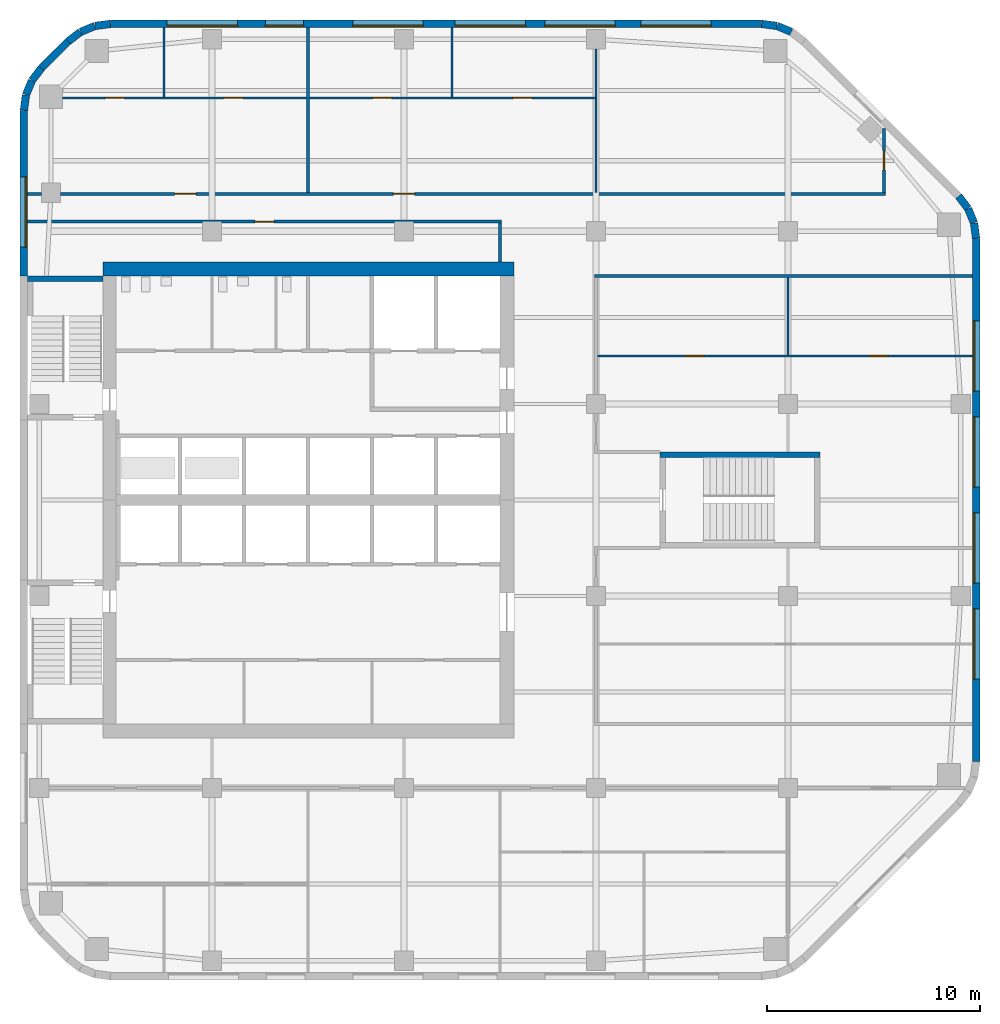
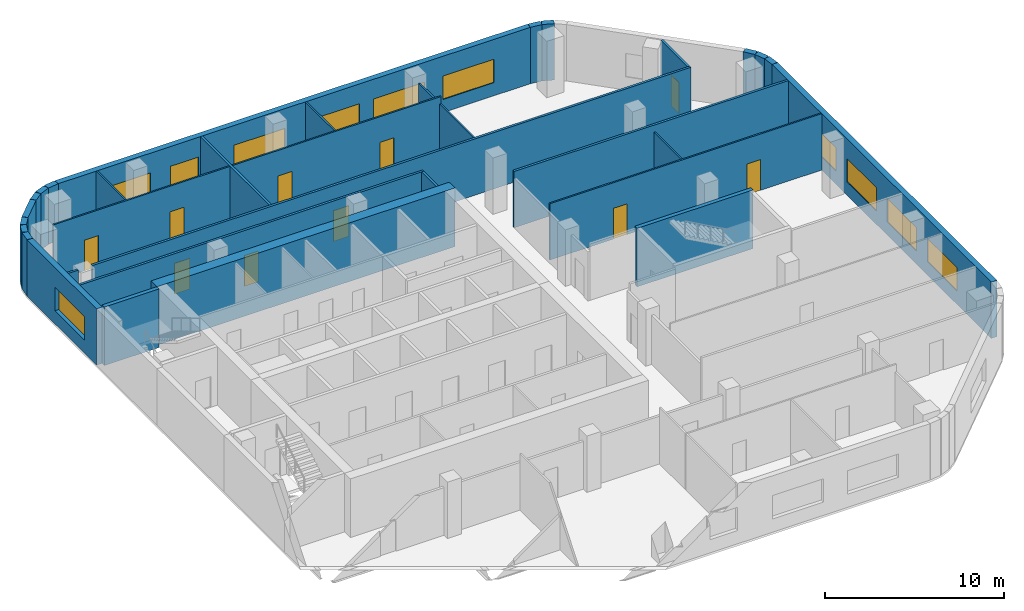
# One storey, part 5 of 9: 33 walls, 11 windows, 10 doors, 21 openings.
"""IFC4 building model written with IfcOpenShell, lengths in metres."""

import ifcopenshell
import ifcopenshell.guid

model = None  # the IFC model being written
_history = None  # IfcOwnerHistory: only IFC2X3 demands one
_inside = {}  # id of a spatial element -> (the spatial element, [elements in it])
_under = {}  # id of a project, library or spatial element -> (it, [spatial elements below it])
_declared = {}  # id of a project -> (the project, [libraries it declares])
_typed = {}  # id of a type object -> (the type object, [elements of that type])
_made_of = {}  # id of a material, layer set ... -> (it, [elements and type objects made of it])


def new_model(schema):
    """Start an empty IFC model of exactly this schema.

    Asked for "IFC4X3", IfcOpenShell would pick the latest addendum, in which some entities
    have other attributes; the version numbers below select the first issue.
    IFC2X3 requires an IfcOwnerHistory on every rooted entity: one is made here for all.
    """
    global model, _history
    if schema == "IFC4X3":
        model = ifcopenshell.file(schema_version=(4, 3, 0, 0))
    else:
        model = ifcopenshell.file(schema=schema)
    _inside.clear()
    _under.clear()
    _declared.clear()
    _typed.clear()
    _made_of.clear()
    _history = None
    if model.schema == "IFC2X3":
        org = make("IfcOrganization", Name="unknown")
        user = make(
            "IfcPersonAndOrganization",
            ThePerson=make("IfcPerson", FamilyName="unknown"),
            TheOrganization=org,
        )
        app = make(
            "IfcApplication",
            ApplicationDeveloper=org,
            Version="unknown",
            ApplicationFullName="unknown",
            ApplicationIdentifier="unknown",
        )
        _history = make(
            "IfcOwnerHistory",
            OwningUser=user,
            OwningApplication=app,
            ChangeAction="ADDED",
            CreationDate=0,
        )
    return model


def make(cls, **values):
    """One entity of the class cls with the attributes given. An attribute that is None is left unset."""
    return model.create_entity(
        cls, **{name: value for name, value in values.items() if value is not None}
    )


def rooted(cls, **values):
    """An entity with a GlobalId (a new one), such as an element, a storey or a relation."""
    return make(cls, GlobalId=ifcopenshell.guid.new(), OwnerHistory=_history, **values)


def si_unit(unit_type, name, prefix=None):
    """IfcSIUnit, for example si_unit("LENGTHUNIT", "METRE", prefix="MILLI")."""
    return make("IfcSIUnit", UnitType=unit_type, Prefix=prefix, Name=name)


def assignment(units):
    """IfcUnitAssignment: the units of a project."""
    return None if units is None else make("IfcUnitAssignment", Units=units)


def point(xyz):
    """IfcCartesianPoint."""
    return None if xyz is None else make("IfcCartesianPoint", Coordinates=xyz)


def direction(xyz):
    """IfcDirection."""
    return None if xyz is None else make("IfcDirection", DirectionRatios=xyz)


def frame(location, z_axis=None, x_axis=None):
    """IfcAxis2Placement3D, a coordinate frame: its origin and axes. An axis left out is left unset."""
    return make(
        "IfcAxis2Placement3D",
        Location=point(location),
        Axis=direction(z_axis),
        RefDirection=direction(x_axis),
    )


def frame_2d(location, x_axis=None):
    """IfcAxis2Placement2D, a coordinate frame in the plane: its origin and x axis."""
    return make(
        "IfcAxis2Placement2D", Location=point(location), RefDirection=direction(x_axis)
    )


def origin():
    """The frame at (0, 0, 0) with its axes left unset."""
    return frame((0.0, 0.0, 0.0))


def place(relative_to, where):
    """IfcLocalPlacement: puts the frame where relative to a parent placement (None: the world)."""
    return make(
        "IfcLocalPlacement", PlacementRelTo=relative_to, RelativePlacement=where
    )


def context(
    kind, dimensions, precision=None, world=None, true_north=None, identifier=None
):
    """IfcGeometricRepresentationContext, for example the 3D "Model" context."""
    return make(
        "IfcGeometricRepresentationContext",
        ContextIdentifier=identifier,
        ContextType=kind,
        CoordinateSpaceDimension=dimensions,
        Precision=precision,
        WorldCoordinateSystem=world,
        TrueNorth=true_north,
    )


def subcontext(parent, identifier, kind, view, scale=None):
    """IfcGeometricRepresentationSubContext, for example "Body" below "Model"."""
    return make(
        "IfcGeometricRepresentationSubContext",
        ContextIdentifier=identifier,
        ContextType=kind,
        ParentContext=parent,
        TargetScale=scale,
        TargetView=view,
    )


def project(units=None, contexts=None):
    """IfcProject with its units and contexts."""
    return rooted(
        "IfcProject",
        Name="project",
        RepresentationContexts=contexts,
        UnitsInContext=assignment(units),
    )


def spatial(cls, under=None, at=None, **own):
    """A site, building, storey or space (cls), placed at a placement, below another one or the project."""
    s = rooted(cls, ObjectPlacement=at, **own)
    if under is not None:
        _under.setdefault(under.id(), (under, []))[1].append(s)
    return s


def profile(cls, at=None, kind="AREA", **sizes):
    """A parametric profile (cls). Its sizes go by their IFC names, for example OverallWidth=200.0."""
    return make(cls, ProfileType=kind, Position=at, **sizes)


def rectangle(**sizes):
    """IfcRectangleProfileDef."""
    return profile("IfcRectangleProfileDef", **sizes)


def extrude(swept, where, along, depth):
    """IfcExtrudedAreaSolid: the profile swept, set in the frame where, extruded along a direction by depth."""
    return make(
        "IfcExtrudedAreaSolid",
        SweptArea=swept,
        Position=where,
        ExtrudedDirection=direction(along),
        Depth=depth,
    )


def shape(context_of_items, identifier, shape_type, items):
    """IfcShapeRepresentation: the items that make up one representation, for example the "Body"."""
    return make(
        "IfcShapeRepresentation",
        ContextOfItems=context_of_items,
        RepresentationIdentifier=identifier,
        RepresentationType=shape_type,
        Items=items,
    )


def material(Name=None, Category=None):
    """IfcMaterial."""
    return make("IfcMaterial", Name=Name, Category=Category)


def layer(
    of_material, thickness, ventilated=None, Name=None, Category=None, Priority=None
):
    """IfcMaterialLayer: one layer of a wall or slab, of a material (None: an air gap)."""
    return make(
        "IfcMaterialLayer",
        Material=of_material,
        LayerThickness=thickness,
        IsVentilated=ventilated,
        Name=Name,
        Category=Category,
        Priority=Priority,
    )


def layer_set(layers, Name=None):
    """IfcMaterialLayerSet."""
    return make("IfcMaterialLayerSet", MaterialLayers=layers, LayerSetName=Name)


def made_of(thing, what):
    """Note that an element or type object is made of a material, layer set ...; save() writes the relation."""
    if what is not None:
        _made_of.setdefault(what.id(), (what, []))[1].append(thing)
    return thing


def type_object(cls, material=None, **own):
    """A type object (cls), such as IfcWallType, which elements share."""
    return made_of(rooted(cls, **own), material)


def element(
    cls,
    number,
    at=None,
    inside=None,
    cuts=None,
    type_object=None,
    material=None,
    context=None,
    identifier="Body",
    shape_type=None,
    held_by="IfcProductDefinitionShape",
    body=None,
    shapes=None,
    **own,
):
    """One element of the class cls, such as IfcWall. Its Tag is "e" and its number.

    at: its placement. inside: the storey or other place that contains it. cuts: it is an
    opening in that element (IfcRelVoidsElement). A single representation is given by context,
    identifier, shape_type and body (its items); several are given by shapes. held_by: the class
    of the entity that holds the representations. save() writes the other relations.
    """
    e = rooted(cls, Tag="e%d" % number, ObjectPlacement=at, **own)
    if body is not None:
        shapes = [shape(context, identifier, shape_type, body)]
    if shapes is not None:
        e.Representation = make(held_by, Representations=shapes)
    if inside is not None:
        _inside.setdefault(inside.id(), (inside, []))[1].append(e)
    if cuts is not None:
        rooted(
            "IfcRelVoidsElement", RelatingBuildingElement=cuts, RelatedOpeningElement=e
        )
    if type_object is not None:
        _typed.setdefault(type_object.id(), (type_object, []))[1].append(e)
    return made_of(e, material)


def fill(opening, filler):
    """IfcRelFillsElement: the door or window that sits in an opening."""
    return rooted(
        "IfcRelFillsElement",
        RelatingOpeningElement=opening,
        RelatedBuildingElement=filler,
    )


def aggregate(whole, parts):
    """IfcRelAggregates: a whole, such as a stair, and the parts it consists of."""
    return rooted("IfcRelAggregates", RelatingObject=whole, RelatedObjects=parts)


def save(model, path):
    """Write the relations noted so far, then the file.

    IfcRelAggregates (storeys below a building ...), IfcRelContainedInSpatialStructure (elements
    in a storey), IfcRelDefinesByType, IfcRelAssociatesMaterial and IfcRelDeclares: one each for
    every whole, place, type object, material and project.
    """
    for whole, parts in _under.values():
        aggregate(whole, parts)
    for where, things in _inside.values():
        rooted(
            "IfcRelContainedInSpatialStructure",
            RelatedElements=things,
            RelatingStructure=where,
        )
    for kind, things in _typed.values():
        rooted("IfcRelDefinesByType", RelatedObjects=things, RelatingType=kind)
    for what, things in _made_of.values():
        rooted("IfcRelAssociatesMaterial", RelatedObjects=things, RelatingMaterial=what)
    for by, libraries in _declared.values():
        rooted("IfcRelDeclares", RelatingContext=by, RelatedDefinitions=libraries)
    model.write(path)


model = new_model("IFC4")

# Units and contexts
model_context = context("Model", 3, precision=1e-05, world=origin(), true_north=direction((0.0, 1.0)))
body_context = subcontext(model_context, "Body", "Model", "MODEL_VIEW")
ifc_project = project(units=[si_unit("LENGTHUNIT", "METRE"), si_unit("AREAUNIT", "SQUARE_METRE"), si_unit("VOLUMEUNIT", "CUBIC_METRE"), si_unit("PLANEANGLEUNIT", "RADIAN"), si_unit("MASSUNIT", "GRAM", prefix="KILO")], contexts=[model_context])

# Site, building, storey
site_placement = place(None, origin())
site = spatial("IfcSite", under=ifc_project, at=site_placement, CompositionType="ELEMENT")
building_placement = place(site_placement, origin())
building = spatial("IfcBuilding", under=site, at=building_placement, Name="Cinnabar Reach Civic Tower", CompositionType="ELEMENT")
storey_placement = place(building_placement, frame((0.0, 0.0, 153.0)))
storey = spatial("IfcBuildingStorey", under=building, at=storey_placement, Name="L36", CompositionType="ELEMENT", Elevation=153.0)

# Walls
ifc_material_1 = material(Name="Facing brick with insulated backing", Category="masonry")
ifc_layer_1 = layer(ifc_material_1, 0.36)
ifc_layer_set_1 = layer_set([ifc_layer_1], Name="Brick corner wall")
wall_type_1 = type_object("IfcWallType", Name="Brick corner wall", PredefinedType="STANDARD", material=ifc_layer_set_1)
for number, where, z_axis, x_axis, name in (
    (1, (44.817, 43.7686, 0.0), (0.0, 0.0, 1.0), (-0.13055608231, 0.99144092581, 0.0), "Brick corner wall"),
    (2, (44.7181, 44.4973, 0.0), (0.0, 0.0, 1.0), (-0.382702709855, 0.923871547278, 0.0), "Brick corner wall"),
):
    element("IfcWall", number, at=place(storey_placement, frame(where, z_axis=z_axis, x_axis=x_axis)), inside=storey, type_object=wall_type_1, Name=name, PredefinedType="STANDARD", context=body_context, shape_type="SweptSolid", body=[
        extrude(rectangle(XDim=0.7131, YDim=0.36, at=frame_2d((0.3565, 0.0))), origin(), (0.0, 0.0, 1.0), 3.85),
    ])
wall_1_placement = place(storey_placement, frame((44.434, 45.1755, 0.0), z_axis=(0.0, 0.0, 1.0), x_axis=(-0.608802368033, 0.793321924995, 0.0)))
element("IfcWall", 3, at=wall_1_placement, inside=storey, type_object=wall_type_1, Name="Brick corner wall", PredefinedType="STANDARD", context=body_context, shape_type="SweptSolid", body=[
    extrude(rectangle(XDim=0.7132, YDim=0.36, at=frame_2d((0.3566, 0.0))), origin(), (0.0, 0.0, 1.0), 3.85),
])
for number, where, z_axis, x_axis, name in (
    (4, (36.1561, 53.4452, 0.0), (0.0, 0.0, 1.0), (-0.923871547278, 0.382702709855, 0.0), "Brick corner wall"),
    (5, (35.4756, 53.7239, 0.0), (0.0, 0.0, 1.0), (-0.99144092581, 0.13055608231, 0.0), "Brick corner wall"),
    (6, (4.2314, 53.817, 0.0), (0.0, 0.0, 1.0), (-0.99144092581, -0.13055608231, 0.0), "Brick corner wall"),
    (7, (3.5027, 53.7181, 0.0), (0.0, 0.0, 1.0), (-0.923871547278, -0.382702709855, 0.0), "Brick corner wall"),
):
    element("IfcWall", number, at=place(storey_placement, frame(where, z_axis=z_axis, x_axis=x_axis)), inside=storey, type_object=wall_type_1, Name=name, PredefinedType="STANDARD", context=body_context, shape_type="SweptSolid", body=[
        extrude(rectangle(XDim=0.7131, YDim=0.36, at=frame_2d((0.3565, 0.0))), origin(), (0.0, 0.0, 1.0), 3.85),
    ])
for number, where, z_axis, x_axis, name in (
    (8, (2.8245, 53.434, 0.0), (0.0, 0.0, 1.0), (-0.793321924995, -0.608802368033, 0.0), "Brick corner wall"),
    (9, (1.0002, 51.7413, 0.0), (0.0, 0.0, 1.0), (-0.608802368033, -0.793321924995, 0.0), "Brick corner wall"),
):
    element("IfcWall", number, at=place(storey_placement, frame(where, z_axis=z_axis, x_axis=x_axis)), inside=storey, type_object=wall_type_1, Name=name, PredefinedType="STANDARD", context=body_context, shape_type="SweptSolid", body=[
        extrude(rectangle(XDim=0.7132, YDim=0.36, at=frame_2d((0.3566, 0.0))), origin(), (0.0, 0.0, 1.0), 3.85),
    ])
for number, where, z_axis, x_axis, name in (
    (10, (0.5548, 51.1561, 0.0), (0.0, 0.0, 1.0), (-0.382702709855, -0.923871547278, 0.0), "Brick corner wall"),
    (11, (0.2761, 50.4756, 0.0), (0.0, 0.0, 1.0), (-0.13055608231, -0.99144092581, 0.0), "Brick corner wall"),
):
    element("IfcWall", number, at=place(storey_placement, frame(where, z_axis=z_axis, x_axis=x_axis)), inside=storey, type_object=wall_type_1, Name=name, PredefinedType="STANDARD", context=body_context, shape_type="SweptSolid", body=[
        extrude(rectangle(XDim=0.7131, YDim=0.36, at=frame_2d((0.3565, 0.0))), origin(), (0.0, 0.0, 1.0), 3.85),
    ])

# Wall, openings, windows
ifc_layer_2 = layer(ifc_material_1, 0.36)
ifc_layer_set_2 = layer_set([ifc_layer_2], Name="Brick pier and spandrel wall")
wall_type_2 = type_object("IfcWallType", Name="Brick pier and spandrel wall", PredefinedType="STANDARD", material=ifc_layer_set_2)
wall_2_placement = place(storey_placement, frame((44.82, 19.2426, 0.0), z_axis=(0.0, 0.0, 1.0), x_axis=(0.0, 1.0, 0.0)))
wall_2 = element("IfcWall", 12, at=wall_2_placement, inside=storey, type_object=wall_type_2, Name="Brick facade wall", PredefinedType="STANDARD", context=body_context, shape_type="SweptSolid", body=[
    extrude(rectangle(XDim=24.5148, YDim=0.36, at=frame_2d((12.2574, 0.0))), origin(), (0.0, 0.0, 1.0), 3.85),
])
opening_1_placement = place(wall_2_placement, frame((3.8574, 0.0, 0.9)))
opening_1 = element("IfcOpeningElement", 13, at=opening_1_placement, cuts=wall_2, Name="Opening W1748", PredefinedType="OPENING", context=body_context, shape_type="SweptSolid", body=[
    extrude(rectangle(XDim=3.3, YDim=1.6, at=frame_2d((1.65, 0.8))), frame((0.0, 0.19, 0.0), z_axis=(0.0, -1.0, 0.0), x_axis=(1.0, 0.0, 0.0)), (0.0, 0.0, 1.0), 0.38),
])
opening_2_placement = place(wall_2_placement, frame((8.3574, 0.0, 0.9)))
opening_2 = element("IfcOpeningElement", 14, at=opening_2_placement, cuts=wall_2, Name="Opening W1749", PredefinedType="OPENING", context=body_context, shape_type="SweptSolid", body=[
    extrude(rectangle(XDim=3.3, YDim=1.6, at=frame_2d((1.65, 0.8))), frame((0.0, 0.19, 0.0), z_axis=(0.0, -1.0, 0.0), x_axis=(1.0, 0.0, 0.0)), (0.0, 0.0, 1.0), 0.38),
])
opening_3_placement = place(wall_2_placement, frame((12.8574, 0.0, 0.9)))
opening_3 = element("IfcOpeningElement", 15, at=opening_3_placement, cuts=wall_2, Name="Opening W1750", PredefinedType="OPENING", context=body_context, shape_type="SweptSolid", body=[
    extrude(rectangle(XDim=3.3, YDim=1.6, at=frame_2d((1.65, 0.8))), frame((0.0, 0.19, 0.0), z_axis=(0.0, -1.0, 0.0), x_axis=(1.0, 0.0, 0.0)), (0.0, 0.0, 1.0), 0.38),
])
opening_4_placement = place(wall_2_placement, frame((17.3574, 0.0, 0.9)))
opening_4 = element("IfcOpeningElement", 16, at=opening_4_placement, cuts=wall_2, Name="Opening W1751", PredefinedType="OPENING", context=body_context, shape_type="SweptSolid", body=[
    extrude(rectangle(XDim=3.3, YDim=1.6, at=frame_2d((1.65, 0.8))), frame((0.0, 0.19, 0.0), z_axis=(0.0, -1.0, 0.0), x_axis=(1.0, 0.0, 0.0)), (0.0, 0.0, 1.0), 0.38),
])
ifc_material_2 = material(Name="Clear double glazing in aluminium frame", Category="aluminium")
window_type_1 = type_object("IfcWindowType", Name="Deep-set window A", PartitioningType="SINGLE_PANEL", PredefinedType="WINDOW", material=ifc_material_2)
window_1_placement = place(opening_1_placement, origin())
window_1 = element("IfcWindow", 17, at=window_1_placement, inside=storey, type_object=window_type_1, Name="Window east face", OverallHeight=1.6, OverallWidth=3.3, PartitioningType="SINGLE_PANEL", PredefinedType="WINDOW", context=body_context, shape_type="SweptSolid", body=[
    extrude(rectangle(XDim=3.3, YDim=1.6, at=frame_2d((1.65, 0.8))), frame((0.0, 0.13, 0.0), z_axis=(0.0, -1.0, 0.0), x_axis=(1.0, 0.0, 0.0)), (0.0, 0.0, 1.0), 0.06),
])
fill(opening_1, window_1)
window_2_placement = place(opening_2_placement, origin())
window_2 = element("IfcWindow", 18, at=window_2_placement, inside=storey, type_object=window_type_1, Name="Window east face", OverallHeight=1.6, OverallWidth=3.3, PartitioningType="SINGLE_PANEL", PredefinedType="WINDOW", context=body_context, shape_type="SweptSolid", body=[
    extrude(rectangle(XDim=3.3, YDim=1.6, at=frame_2d((1.65, 0.8))), frame((0.0, 0.13, 0.0), z_axis=(0.0, -1.0, 0.0), x_axis=(1.0, 0.0, 0.0)), (0.0, 0.0, 1.0), 0.06),
])
fill(opening_2, window_2)
window_3_placement = place(opening_3_placement, origin())
window_3 = element("IfcWindow", 19, at=window_3_placement, inside=storey, type_object=window_type_1, Name="Window east face", OverallHeight=1.6, OverallWidth=3.3, PartitioningType="SINGLE_PANEL", PredefinedType="WINDOW", context=body_context, shape_type="SweptSolid", body=[
    extrude(rectangle(XDim=3.3, YDim=1.6, at=frame_2d((1.65, 0.8))), frame((0.0, 0.13, 0.0), z_axis=(0.0, -1.0, 0.0), x_axis=(1.0, 0.0, 0.0)), (0.0, 0.0, 1.0), 0.06),
])
fill(opening_3, window_3)
window_4_placement = place(opening_4_placement, origin())
window_4 = element("IfcWindow", 20, at=window_4_placement, inside=storey, type_object=window_type_1, Name="Window east face", OverallHeight=1.6, OverallWidth=3.3, PartitioningType="SINGLE_PANEL", PredefinedType="WINDOW", context=body_context, shape_type="SweptSolid", body=[
    extrude(rectangle(XDim=3.3, YDim=1.6, at=frame_2d((1.65, 0.8))), frame((0.0, 0.13, 0.0), z_axis=(0.0, -1.0, 0.0), x_axis=(1.0, 0.0, 0.0)), (0.0, 0.0, 1.0), 0.06),
])
fill(opening_4, window_4)

wall_3_placement = place(storey_placement, frame((34.7574, 53.82, 0.0), z_axis=(0.0, 0.0, 1.0), x_axis=(-1.0, 0.0, 0.0)))
wall_3 = element("IfcWall", 21, at=wall_3_placement, inside=storey, type_object=wall_type_2, Name="Brick facade wall", PredefinedType="STANDARD", context=body_context, shape_type="SweptSolid", body=[
    extrude(rectangle(XDim=30.5148, YDim=0.36, at=frame_2d((15.2574, 0.0))), origin(), (0.0, 0.0, 1.0), 3.85),
])
opening_5_placement = place(wall_3_placement, frame((2.3574, 0.0, 0.9)))
opening_5 = element("IfcOpeningElement", 22, at=opening_5_placement, cuts=wall_3, Name="Opening W1753", PredefinedType="OPENING", context=body_context, shape_type="SweptSolid", body=[
    extrude(rectangle(XDim=3.3, YDim=1.6, at=frame_2d((1.65, 0.8))), frame((0.0, 0.19, 0.0), z_axis=(0.0, -1.0, 0.0), x_axis=(1.0, 0.0, 0.0)), (0.0, 0.0, 1.0), 0.38),
])
opening_6_placement = place(wall_3_placement, frame((6.8574, 0.0, 0.9)))
opening_6 = element("IfcOpeningElement", 23, at=opening_6_placement, cuts=wall_3, Name="Opening W1754", PredefinedType="OPENING", context=body_context, shape_type="SweptSolid", body=[
    extrude(rectangle(XDim=3.3, YDim=1.6, at=frame_2d((1.65, 0.8))), frame((0.0, 0.19, 0.0), z_axis=(0.0, -1.0, 0.0), x_axis=(1.0, 0.0, 0.0)), (0.0, 0.0, 1.0), 0.38),
])
opening_7_placement = place(wall_3_placement, frame((11.0574, 0.0, 0.9)))
opening_7 = element("IfcOpeningElement", 24, at=opening_7_placement, cuts=wall_3, Name="Opening W1755", PredefinedType="OPENING", context=body_context, shape_type="SweptSolid", body=[
    extrude(rectangle(XDim=3.3, YDim=1.6, at=frame_2d((1.65, 0.8))), frame((0.0, 0.19, 0.0), z_axis=(0.0, -1.0, 0.0), x_axis=(1.0, 0.0, 0.0)), (0.0, 0.0, 1.0), 0.38),
])
opening_8_placement = place(wall_3_placement, frame((15.8574, 0.0, 0.9)))
opening_8 = element("IfcOpeningElement", 25, at=opening_8_placement, cuts=wall_3, Name="Opening W1756", PredefinedType="OPENING", context=body_context, shape_type="SweptSolid", body=[
    extrude(rectangle(XDim=3.3, YDim=1.6, at=frame_2d((1.65, 0.8))), frame((0.0, 0.19, 0.0), z_axis=(0.0, -1.0, 0.0), x_axis=(1.0, 0.0, 0.0)), (0.0, 0.0, 1.0), 0.38),
])
opening_9_placement = place(wall_3_placement, frame((21.4574, 0.0, 0.9)))
opening_9 = element("IfcOpeningElement", 26, at=opening_9_placement, cuts=wall_3, Name="Opening W1757", PredefinedType="OPENING", context=body_context, shape_type="SweptSolid", body=[
    extrude(rectangle(XDim=1.8, YDim=1.6, at=frame_2d((0.9, 0.8))), frame((0.0, 0.19, 0.0), z_axis=(0.0, -1.0, 0.0), x_axis=(1.0, 0.0, 0.0)), (0.0, 0.0, 1.0), 0.38),
])
opening_10_placement = place(wall_3_placement, frame((24.5574, 0.0, 0.9)))
opening_10 = element("IfcOpeningElement", 27, at=opening_10_placement, cuts=wall_3, Name="Opening W1758", PredefinedType="OPENING", context=body_context, shape_type="SweptSolid", body=[
    extrude(rectangle(XDim=3.3, YDim=1.6, at=frame_2d((1.65, 0.8))), frame((0.0, 0.19, 0.0), z_axis=(0.0, -1.0, 0.0), x_axis=(1.0, 0.0, 0.0)), (0.0, 0.0, 1.0), 0.38),
])
window_5_placement = place(opening_5_placement, origin())
window_5 = element("IfcWindow", 28, at=window_5_placement, inside=storey, type_object=window_type_1, Name="Window north face", OverallHeight=1.6, OverallWidth=3.3, PartitioningType="SINGLE_PANEL", PredefinedType="WINDOW", context=body_context, shape_type="SweptSolid", body=[
    extrude(rectangle(XDim=3.3, YDim=1.6, at=frame_2d((1.65, 0.8))), frame((0.0, 0.13, 0.0), z_axis=(0.0, -1.0, 0.0), x_axis=(1.0, 0.0, 0.0)), (0.0, 0.0, 1.0), 0.06),
])
fill(opening_5, window_5)
window_6_placement = place(opening_6_placement, origin())
window_6 = element("IfcWindow", 29, at=window_6_placement, inside=storey, type_object=window_type_1, Name="Window north face", OverallHeight=1.6, OverallWidth=3.3, PartitioningType="SINGLE_PANEL", PredefinedType="WINDOW", context=body_context, shape_type="SweptSolid", body=[
    extrude(rectangle(XDim=3.3, YDim=1.6, at=frame_2d((1.65, 0.8))), frame((0.0, 0.13, 0.0), z_axis=(0.0, -1.0, 0.0), x_axis=(1.0, 0.0, 0.0)), (0.0, 0.0, 1.0), 0.06),
])
fill(opening_6, window_6)
window_7_placement = place(opening_7_placement, origin())
window_7 = element("IfcWindow", 30, at=window_7_placement, inside=storey, type_object=window_type_1, Name="Window north face", OverallHeight=1.6, OverallWidth=3.3, PartitioningType="SINGLE_PANEL", PredefinedType="WINDOW", context=body_context, shape_type="SweptSolid", body=[
    extrude(rectangle(XDim=3.3, YDim=1.6, at=frame_2d((1.65, 0.8))), frame((0.0, 0.13, 0.0), z_axis=(0.0, -1.0, 0.0), x_axis=(1.0, 0.0, 0.0)), (0.0, 0.0, 1.0), 0.06),
])
fill(opening_7, window_7)
window_8_placement = place(opening_8_placement, origin())
window_8 = element("IfcWindow", 31, at=window_8_placement, inside=storey, type_object=window_type_1, Name="Window north face", OverallHeight=1.6, OverallWidth=3.3, PartitioningType="SINGLE_PANEL", PredefinedType="WINDOW", context=body_context, shape_type="SweptSolid", body=[
    extrude(rectangle(XDim=3.3, YDim=1.6, at=frame_2d((1.65, 0.8))), frame((0.0, 0.13, 0.0), z_axis=(0.0, -1.0, 0.0), x_axis=(1.0, 0.0, 0.0)), (0.0, 0.0, 1.0), 0.06),
])
fill(opening_8, window_8)
window_9_placement = place(opening_10_placement, origin())
window_9 = element("IfcWindow", 32, at=window_9_placement, inside=storey, type_object=window_type_1, Name="Window north face", OverallHeight=1.6, OverallWidth=3.3, PartitioningType="SINGLE_PANEL", PredefinedType="WINDOW", context=body_context, shape_type="SweptSolid", body=[
    extrude(rectangle(XDim=3.3, YDim=1.6, at=frame_2d((1.65, 0.8))), frame((0.0, 0.13, 0.0), z_axis=(0.0, -1.0, 0.0), x_axis=(1.0, 0.0, 0.0)), (0.0, 0.0, 1.0), 0.06),
])
fill(opening_10, window_9)
window_type_2 = type_object("IfcWindowType", Name="Deep-set window D", PartitioningType="SINGLE_PANEL", PredefinedType="WINDOW", material=ifc_material_2)
window_10_placement = place(opening_9_placement, origin())
window_10 = element("IfcWindow", 33, at=window_10_placement, inside=storey, type_object=window_type_2, Name="Window north face", OverallHeight=1.6, OverallWidth=1.8, PartitioningType="SINGLE_PANEL", PredefinedType="WINDOW", context=body_context, shape_type="SweptSolid", body=[
    extrude(rectangle(XDim=1.8, YDim=1.6, at=frame_2d((0.9, 0.8))), frame((0.0, 0.13, 0.0), z_axis=(0.0, -1.0, 0.0), x_axis=(1.0, 0.0, 0.0)), (0.0, 0.0, 1.0), 0.06),
])
fill(opening_9, window_10)

# Wall
wall_4_placement = place(storey_placement, frame((2.2486, 52.994, 0.0), z_axis=(0.0, 0.0, 1.0), x_axis=(-0.707106781187, -0.707106781187, 0.0)))
element("IfcWall", 34, at=wall_4_placement, inside=storey, type_object=wall_type_2, Name="Brick facade wall", PredefinedType="STANDARD", context=body_context, shape_type="SweptSolid", body=[
    extrude(rectangle(XDim=1.7573, YDim=0.36, at=frame_2d((0.8787, 0.0))), origin(), (0.0, 0.0, 1.0), 3.85),
])

# Wall, opening, window
wall_5_placement = place(storey_placement, frame((0.18, 49.7574, 0.0), z_axis=(0.0, 0.0, 1.0), x_axis=(0.0, -1.0, 0.0)))
wall_5 = element("IfcWall", 35, at=wall_5_placement, inside=storey, type_object=wall_type_2, Name="Brick facade wall", PredefinedType="STANDARD", context=body_context, shape_type="SweptSolid", body=[
    extrude(rectangle(XDim=7.7574, YDim=0.36, at=frame_2d((3.8787, 0.0))), origin(), (0.0, 0.0, 1.0), 3.85),
])
opening_11_placement = place(wall_5_placement, frame((3.1074, 0.0, 0.9)))
opening_11 = element("IfcOpeningElement", 36, at=opening_11_placement, cuts=wall_5, Name="Opening W1759", PredefinedType="OPENING", context=body_context, shape_type="SweptSolid", body=[
    extrude(rectangle(XDim=3.3, YDim=1.6, at=frame_2d((1.65, 0.8))), frame((0.0, 0.19, 0.0), z_axis=(0.0, -1.0, 0.0), x_axis=(1.0, 0.0, 0.0)), (0.0, 0.0, 1.0), 0.38),
])
window_11_placement = place(opening_11_placement, origin())
window_11 = element("IfcWindow", 37, at=window_11_placement, inside=storey, type_object=window_type_1, Name="Window west face", OverallHeight=1.6, OverallWidth=3.3, PartitioningType="SINGLE_PANEL", PredefinedType="WINDOW", context=body_context, shape_type="SweptSolid", body=[
    extrude(rectangle(XDim=3.3, YDim=1.6, at=frame_2d((1.65, 0.8))), frame((0.0, 0.13, 0.0), z_axis=(0.0, -1.0, 0.0), x_axis=(1.0, 0.0, 0.0)), (0.0, 0.0, 1.0), 0.06),
])
fill(opening_11, window_11)

# Wall
ifc_material_3 = material(Name="Concrete C70", Category="concrete")
ifc_layer_3 = layer(ifc_material_3, 0.65)
ifc_layer_set_3 = layer_set([ifc_layer_3], Name="Core wall 650 EI 180")
wall_type_3 = type_object("IfcWallType", Name="Core wall 650 EI 180", PredefinedType="SOLIDWALL", material=ifc_layer_set_3)
wall_6_placement = place(storey_placement, frame((23.15, 42.325, 0.0), z_axis=(0.0, 0.0, 1.0), x_axis=(-1.0, 0.0, 0.0)))
element("IfcWall", 38, at=wall_6_placement, inside=storey, type_object=wall_type_3, Name="Core wall T1 L36 N", PredefinedType="SOLIDWALL", context=body_context, shape_type="SweptSolid", body=[
    extrude(rectangle(XDim=19.25, YDim=0.65, at=frame_2d((9.625, 0.0))), origin(), (0.0, 0.0, 1.0), 4.0),
])

# Wall, openings, doors
ifc_material_4 = material(Name="Gypsum board on steel studs, double layer", Category="steel")
ifc_layer_4 = layer(ifc_material_4, 0.15)
ifc_layer_set_4 = layer_set([ifc_layer_4], Name="Corridor wall 150 T1")
wall_type_4 = type_object("IfcWallType", Name="Corridor wall 150 T1", PredefinedType="PARTITIONING", material=ifc_layer_set_4)
wall_7_placement = place(storey_placement, frame((1.9031, 45.85, 0.0), z_axis=(0.0, 0.0, 1.0), x_axis=(1.0, 0.0, 0.0)))
wall_7 = element("IfcWall", 39, at=wall_7_placement, inside=storey, type_object=wall_type_4, Name="Corridor wall 25", PredefinedType="PARTITIONING", context=body_context, shape_type="SweptSolid", body=[
    extrude(rectangle(XDim=38.6718, YDim=0.15, at=frame_2d((19.3359, 0.0))), origin(), (0.0, 0.0, 1.0), 3.85),
])
opening_12_placement = place(wall_7_placement, frame((5.35, 0.0, 0.0)))
opening_12 = element("IfcOpeningElement", 40, at=opening_12_placement, cuts=wall_7, Name="Opening D4489", PredefinedType="OPENING", context=body_context, shape_type="SweptSolid", body=[
    extrude(rectangle(XDim=1.0, YDim=2.1, at=frame_2d((0.5, 1.05))), frame((0.0, 0.085, 0.0), z_axis=(0.0, -1.0, 0.0), x_axis=(1.0, 0.0, 0.0)), (0.0, 0.0, 1.0), 0.17),
])
opening_13_placement = place(wall_7_placement, frame((15.5969, 0.0, 0.0)))
opening_13 = element("IfcOpeningElement", 41, at=opening_13_placement, cuts=wall_7, Name="Opening D4492", PredefinedType="OPENING", context=body_context, shape_type="SweptSolid", body=[
    extrude(rectangle(XDim=1.0, YDim=2.1, at=frame_2d((0.5, 1.05))), frame((0.0, 0.085, 0.0), z_axis=(0.0, -1.0, 0.0), x_axis=(1.0, 0.0, 0.0)), (0.0, 0.0, 1.0), 0.17),
])
ifc_material_5 = material(Name="Timber door leaf in steel frame", Category="steel")
door_type_1 = type_object("IfcDoorType", Name="Tenancy entrance door 1000 x 2100 T1", OperationType="SINGLE_SWING_LEFT", PredefinedType="DOOR", material=ifc_material_5)
door_1_placement = place(opening_12_placement, origin())
door_1 = element("IfcDoor", 42, at=door_1_placement, inside=storey, type_object=door_type_1, Name="Door D4489", OperationType="SINGLE_SWING_LEFT", OverallHeight=2.1, OverallWidth=1.0, PredefinedType="DOOR", context=body_context, shape_type="SweptSolid", body=[
    extrude(rectangle(XDim=1.0, YDim=2.1, at=frame_2d((0.5, 1.05))), frame((0.0, 0.025, 0.0), z_axis=(0.0, -1.0, 0.0), x_axis=(1.0, 0.0, 0.0)), (0.0, 0.0, 1.0), 0.05),
])
fill(opening_12, door_1)
door_2_placement = place(opening_13_placement, origin())
door_2 = element("IfcDoor", 43, at=door_2_placement, inside=storey, type_object=door_type_1, Name="Door D4492", OperationType="SINGLE_SWING_RIGHT", OverallHeight=2.1, OverallWidth=1.0, PredefinedType="DOOR", context=body_context, shape_type="SweptSolid", body=[
    extrude(rectangle(XDim=1.0, YDim=2.1, at=frame_2d((0.5, 1.05))), frame((0.0, 0.025, 0.0), z_axis=(0.0, -1.0, 0.0), x_axis=(1.0, 0.0, 0.0)), (0.0, 0.0, 1.0), 0.05),
])
fill(opening_13, door_2)

# Wall
wall_8_placement = place(storey_placement, frame((0.36, 45.85, 0.0), z_axis=(0.0, 0.0, 1.0), x_axis=(1.0, 0.0, 0.0)))
element("IfcWall", 44, at=wall_8_placement, inside=storey, type_object=wall_type_4, Name="Corridor wall 26", PredefinedType="PARTITIONING", context=body_context, shape_type="SweptSolid", body=[
    extrude(rectangle(XDim=0.6431, YDim=0.15, at=frame_2d((0.3216, 0.0))), origin(), (0.0, 0.0, 1.0), 3.85),
])

# Wall, opening, door
wall_9_placement = place(storey_placement, frame((0.36, 44.55, 0.0), z_axis=(0.0, 0.0, 1.0), x_axis=(1.0, 0.0, 0.0)))
wall_9 = element("IfcWall", 45, at=wall_9_placement, inside=storey, type_object=wall_type_4, Name="Corridor wall 27", PredefinedType="PARTITIONING", context=body_context, shape_type="SweptSolid", body=[
    extrude(rectangle(XDim=22.215, YDim=0.15, at=frame_2d((11.1075, 0.0))), origin(), (0.0, 0.0, 1.0), 3.85),
])
opening_14_placement = place(wall_9_placement, frame((10.65, 0.0, 0.0)))
opening_14 = element("IfcOpeningElement", 46, at=opening_14_placement, cuts=wall_9, Name="Opening D5793", PredefinedType="OPENING", context=body_context, shape_type="SweptSolid", body=[
    extrude(rectangle(XDim=0.9, YDim=2.1, at=frame_2d((0.45, 1.05))), frame((0.0, 0.085, 0.0), z_axis=(0.0, -1.0, 0.0), x_axis=(1.0, 0.0, 0.0)), (0.0, 0.0, 1.0), 0.17),
])
door_type_2 = type_object("IfcDoorType", Name="Single swing door 900 x 2100 corridor T1", OperationType="SINGLE_SWING_LEFT", PredefinedType="DOOR", material=ifc_material_5)
door_3_placement = place(opening_14_placement, frame((0.9, 0.0, 0.0), z_axis=(0.0, 0.0, 1.0), x_axis=(-1.0, 0.0, 0.0)))
door_3 = element("IfcDoor", 47, at=door_3_placement, inside=storey, type_object=door_type_2, Name="Door D5793", OperationType="SINGLE_SWING_LEFT", OverallHeight=2.1, OverallWidth=0.9, PredefinedType="DOOR", context=body_context, shape_type="SweptSolid", body=[
    extrude(rectangle(XDim=0.9, YDim=2.1, at=frame_2d((0.45, 1.05))), frame((0.0, 0.025, 0.0), z_axis=(0.0, -1.0, 0.0), x_axis=(1.0, 0.0, 0.0)), (0.0, 0.0, 1.0), 0.05),
])
fill(opening_14, door_3)

# Wall
wall_10_placement = place(storey_placement, frame((26.925, 42.0, 0.0), z_axis=(0.0, 0.0, 1.0), x_axis=(1.0, 0.0, 0.0)))
element("IfcWall", 48, at=wall_10_placement, inside=storey, type_object=wall_type_4, Name="Corridor wall 30", PredefinedType="PARTITIONING", context=body_context, shape_type="SweptSolid", body=[
    extrude(rectangle(XDim=17.715, YDim=0.15, at=frame_2d((8.8575, 0.0))), origin(), (0.0, 0.0, 1.0), 3.85),
])

# Wall, opening, door
wall_11_placement = place(storey_placement, frame((40.5, 45.925, 0.0), z_axis=(0.0, 0.0, 1.0), x_axis=(0.0, 1.0, 0.0)))
wall_11 = element("IfcWall", 49, at=wall_11_placement, inside=storey, type_object=wall_type_4, Name="Corridor wall 36", PredefinedType="PARTITIONING", context=body_context, shape_type="SweptSolid", body=[
    extrude(rectangle(XDim=2.991, YDim=0.15, at=frame_2d((1.4955, 0.0))), origin(), (0.0, 0.0, 1.0), 3.85),
])
opening_15_placement = place(wall_11_placement, frame((1.05, 0.0, 0.0)))
opening_15 = element("IfcOpeningElement", 50, at=opening_15_placement, cuts=wall_11, Name="Opening D4495", PredefinedType="OPENING", context=body_context, shape_type="SweptSolid", body=[
    extrude(rectangle(XDim=0.9, YDim=2.1, at=frame_2d((0.45, 1.05))), frame((0.0, 0.085, 0.0), z_axis=(0.0, -1.0, 0.0), x_axis=(1.0, 0.0, 0.0)), (0.0, 0.0, 1.0), 0.17),
])
door_4_placement = place(opening_15_placement, origin())
door_4 = element("IfcDoor", 51, at=door_4_placement, inside=storey, type_object=door_type_2, Name="Door D4495", OperationType="SINGLE_SWING_RIGHT", OverallHeight=2.1, OverallWidth=0.9, PredefinedType="DOOR", context=body_context, shape_type="SweptSolid", body=[
    extrude(rectangle(XDim=0.9, YDim=2.1, at=frame_2d((0.45, 1.05))), frame((0.0, 0.025, 0.0), z_axis=(0.0, -1.0, 0.0), x_axis=(1.0, 0.0, 0.0)), (0.0, 0.0, 1.0), 0.05),
])
fill(opening_15, door_4)

# Wall
wall_12_placement = place(storey_placement, frame((22.5, 42.65, 0.0), z_axis=(0.0, 0.0, 1.0), x_axis=(0.0, 1.0, 0.0)))
element("IfcWall", 52, at=wall_12_placement, inside=storey, type_object=wall_type_4, Name="Corridor wall 39", PredefinedType="PARTITIONING", context=body_context, shape_type="SweptSolid", body=[
    extrude(rectangle(XDim=1.825, YDim=0.15, at=frame_2d((0.9125, 0.0))), origin(), (0.0, 0.0, 1.0), 3.85),
])

# Wall, openings, doors
ifc_material_6 = material(Name="Gypsum board on steel studs", Category="steel")
ifc_layer_5 = layer(ifc_material_6, 0.1)
ifc_layer_set_5 = layer_set([ifc_layer_5], Name="Partition wall 100 T1")
wall_type_5 = type_object("IfcWallType", Name="Partition wall 100 T1", PredefinedType="PARTITIONING", material=ifc_layer_set_5)
wall_13_placement = place(storey_placement, frame((13.575, 50.35, 0.0), z_axis=(0.0, 0.0, 1.0), x_axis=(1.0, 0.0, 0.0)))
wall_13 = element("IfcWall", 53, at=wall_13_placement, inside=storey, type_object=wall_type_5, Name="Partition wall 45", PredefinedType="PARTITIONING", context=body_context, shape_type="SweptSolid", body=[
    extrude(rectangle(XDim=13.475, YDim=0.1, at=frame_2d((6.7375, 0.0))), origin(), (0.0, 0.0, 1.0), 3.85),
])
opening_16_placement = place(wall_13_placement, frame((2.95, 0.0, 0.0)))
opening_16 = element("IfcOpeningElement", 54, at=opening_16_placement, cuts=wall_13, Name="Opening D4493", PredefinedType="OPENING", context=body_context, shape_type="SweptSolid", body=[
    extrude(rectangle(XDim=0.9, YDim=2.1, at=frame_2d((0.45, 1.05))), frame((0.0, 0.06, 0.0), z_axis=(0.0, -1.0, 0.0), x_axis=(1.0, 0.0, 0.0)), (0.0, 0.0, 1.0), 0.12),
])
opening_17_placement = place(wall_13_placement, frame((9.525, 0.0, 0.0)))
opening_17 = element("IfcOpeningElement", 55, at=opening_17_placement, cuts=wall_13, Name="Opening D4494", PredefinedType="OPENING", context=body_context, shape_type="SweptSolid", body=[
    extrude(rectangle(XDim=0.9, YDim=2.1, at=frame_2d((0.45, 1.05))), frame((0.0, 0.06, 0.0), z_axis=(0.0, -1.0, 0.0), x_axis=(1.0, 0.0, 0.0)), (0.0, 0.0, 1.0), 0.12),
])
door_type_3 = type_object("IfcDoorType", Name="Single swing door 900 x 2100 T1", OperationType="SINGLE_SWING_LEFT", PredefinedType="DOOR", material=ifc_material_5)
door_5_placement = place(opening_16_placement, origin())
door_5 = element("IfcDoor", 56, at=door_5_placement, inside=storey, type_object=door_type_3, Name="Door D4493", OperationType="SINGLE_SWING_RIGHT", OverallHeight=2.1, OverallWidth=0.9, PredefinedType="DOOR", context=body_context, shape_type="SweptSolid", body=[
    extrude(rectangle(XDim=0.9, YDim=2.1, at=frame_2d((0.45, 1.05))), frame((0.0, 0.025, 0.0), z_axis=(0.0, -1.0, 0.0), x_axis=(1.0, 0.0, 0.0)), (0.0, 0.0, 1.0), 0.05),
])
fill(opening_16, door_5)
door_6_placement = place(opening_17_placement, origin())
door_6 = element("IfcDoor", 57, at=door_6_placement, inside=storey, type_object=door_type_3, Name="Door D4494", OperationType="SINGLE_SWING_RIGHT", OverallHeight=2.1, OverallWidth=0.9, PredefinedType="DOOR", context=body_context, shape_type="SweptSolid", body=[
    extrude(rectangle(XDim=0.9, YDim=2.1, at=frame_2d((0.45, 1.05))), frame((0.0, 0.025, 0.0), z_axis=(0.0, -1.0, 0.0), x_axis=(1.0, 0.0, 0.0)), (0.0, 0.0, 1.0), 0.05),
])
fill(opening_17, door_6)

wall_14_placement = place(storey_placement, frame((2.0031, 50.35, 0.0), z_axis=(0.0, 0.0, 1.0), x_axis=(1.0, 0.0, 0.0)))
wall_14 = element("IfcWall", 58, at=wall_14_placement, inside=storey, type_object=wall_type_5, Name="Partition wall 46", PredefinedType="PARTITIONING", context=body_context, shape_type="SweptSolid", body=[
    extrude(rectangle(XDim=11.4219, YDim=0.1, at=frame_2d((5.711, 0.0))), origin(), (0.0, 0.0, 1.0), 3.85),
])
opening_18_placement = place(wall_14_placement, frame((2.0, 0.0, 0.0)))
opening_18 = element("IfcOpeningElement", 59, at=opening_18_placement, cuts=wall_14, Name="Opening D4490", PredefinedType="OPENING", context=body_context, shape_type="SweptSolid", body=[
    extrude(rectangle(XDim=0.9, YDim=2.1, at=frame_2d((0.45, 1.05))), frame((0.0, 0.06, 0.0), z_axis=(0.0, -1.0, 0.0), x_axis=(1.0, 0.0, 0.0)), (0.0, 0.0, 1.0), 0.12),
])
opening_19_placement = place(wall_14_placement, frame((7.5469, 0.0, 0.0)))
opening_19 = element("IfcOpeningElement", 60, at=opening_19_placement, cuts=wall_14, Name="Opening D4491", PredefinedType="OPENING", context=body_context, shape_type="SweptSolid", body=[
    extrude(rectangle(XDim=0.9, YDim=2.1, at=frame_2d((0.45, 1.05))), frame((0.0, 0.06, 0.0), z_axis=(0.0, -1.0, 0.0), x_axis=(1.0, 0.0, 0.0)), (0.0, 0.0, 1.0), 0.12),
])
door_7_placement = place(opening_18_placement, origin())
door_7 = element("IfcDoor", 61, at=door_7_placement, inside=storey, type_object=door_type_3, Name="Door D4490", OperationType="SINGLE_SWING_LEFT", OverallHeight=2.1, OverallWidth=0.9, PredefinedType="DOOR", context=body_context, shape_type="SweptSolid", body=[
    extrude(rectangle(XDim=0.9, YDim=2.1, at=frame_2d((0.45, 1.05))), frame((0.0, 0.025, 0.0), z_axis=(0.0, -1.0, 0.0), x_axis=(1.0, 0.0, 0.0)), (0.0, 0.0, 1.0), 0.05),
])
fill(opening_18, door_7)
door_8_placement = place(opening_19_placement, origin())
door_8 = element("IfcDoor", 62, at=door_8_placement, inside=storey, type_object=door_type_3, Name="Door D4491", OperationType="SINGLE_SWING_LEFT", OverallHeight=2.1, OverallWidth=0.9, PredefinedType="DOOR", context=body_context, shape_type="SweptSolid", body=[
    extrude(rectangle(XDim=0.9, YDim=2.1, at=frame_2d((0.45, 1.05))), frame((0.0, 0.025, 0.0), z_axis=(0.0, -1.0, 0.0), x_axis=(1.0, 0.0, 0.0)), (0.0, 0.0, 1.0), 0.05),
])
fill(opening_19, door_8)

wall_15_placement = place(storey_placement, frame((27.075, 38.25, 0.0), z_axis=(0.0, 0.0, 1.0), x_axis=(1.0, 0.0, 0.0)))
wall_15 = element("IfcWall", 63, at=wall_15_placement, inside=storey, type_object=wall_type_5, Name="Partition wall 48", PredefinedType="PARTITIONING", context=body_context, shape_type="SweptSolid", body=[
    extrude(rectangle(XDim=17.565, YDim=0.1, at=frame_2d((8.7825, 0.0))), origin(), (0.0, 0.0, 1.0), 3.85),
])
opening_20_placement = place(wall_15_placement, frame((4.1, 0.0, 0.0)))
opening_20 = element("IfcOpeningElement", 64, at=opening_20_placement, cuts=wall_15, Name="Opening D4477", PredefinedType="OPENING", context=body_context, shape_type="SweptSolid", body=[
    extrude(rectangle(XDim=0.9, YDim=2.1, at=frame_2d((0.45, 1.05))), frame((0.0, 0.06, 0.0), z_axis=(0.0, -1.0, 0.0), x_axis=(1.0, 0.0, 0.0)), (0.0, 0.0, 1.0), 0.12),
])
opening_21_placement = place(wall_15_placement, frame((12.725, 0.0, 0.0)))
opening_21 = element("IfcOpeningElement", 65, at=opening_21_placement, cuts=wall_15, Name="Opening D4478", PredefinedType="OPENING", context=body_context, shape_type="SweptSolid", body=[
    extrude(rectangle(XDim=0.9, YDim=2.1, at=frame_2d((0.45, 1.05))), frame((0.0, 0.06, 0.0), z_axis=(0.0, -1.0, 0.0), x_axis=(1.0, 0.0, 0.0)), (0.0, 0.0, 1.0), 0.12),
])
door_9_placement = place(opening_20_placement, origin())
door_9 = element("IfcDoor", 66, at=door_9_placement, inside=storey, type_object=door_type_3, Name="Door D4477", OperationType="SINGLE_SWING_RIGHT", OverallHeight=2.1, OverallWidth=0.9, PredefinedType="DOOR", context=body_context, shape_type="SweptSolid", body=[
    extrude(rectangle(XDim=0.9, YDim=2.1, at=frame_2d((0.45, 1.05))), frame((0.0, 0.025, 0.0), z_axis=(0.0, -1.0, 0.0), x_axis=(1.0, 0.0, 0.0)), (0.0, 0.0, 1.0), 0.05),
])
fill(opening_20, door_9)
door_10_placement = place(opening_21_placement, origin())
door_10 = element("IfcDoor", 67, at=door_10_placement, inside=storey, type_object=door_type_3, Name="Door D4478", OperationType="SINGLE_SWING_RIGHT", OverallHeight=2.1, OverallWidth=0.9, PredefinedType="DOOR", context=body_context, shape_type="SweptSolid", body=[
    extrude(rectangle(XDim=0.9, YDim=2.1, at=frame_2d((0.45, 1.05))), frame((0.0, 0.025, 0.0), z_axis=(0.0, -1.0, 0.0), x_axis=(1.0, 0.0, 0.0)), (0.0, 0.0, 1.0), 0.05),
])
fill(opening_21, door_10)

# Walls
wall_16_placement = place(storey_placement, frame((27.0, 45.925, 0.0), z_axis=(0.0, 0.0, 1.0), x_axis=(0.0, 1.0, 0.0)))
element("IfcWall", 68, at=wall_16_placement, inside=storey, type_object=wall_type_5, Name="Partition wall 57", PredefinedType="PARTITIONING", context=body_context, shape_type="SweptSolid", body=[
    extrude(rectangle(XDim=4.375, YDim=0.1, at=frame_2d((2.1875, 0.0))), origin(), (0.0, 0.0, 1.0), 3.362),
])
wall_17_placement = place(storey_placement, frame((27.0, 50.4, 0.0), z_axis=(0.0, 0.0, 1.0), x_axis=(0.0, 1.0, 0.0)))
element("IfcWall", 69, at=wall_17_placement, inside=storey, type_object=wall_type_5, Name="Partition wall 58", PredefinedType="PARTITIONING", context=body_context, shape_type="SweptSolid", body=[
    extrude(rectangle(XDim=2.25, YDim=0.1, at=frame_2d((1.125, 0.0))), origin(), (0.0, 0.0, 1.0), 3.362),
])
wall_18_placement = place(storey_placement, frame((36.0, 38.3, 0.0), z_axis=(0.0, 0.0, 1.0), x_axis=(0.0, 1.0, 0.0)))
element("IfcWall", 70, at=wall_18_placement, inside=storey, type_object=wall_type_5, Name="Partition wall 61", PredefinedType="PARTITIONING", context=body_context, shape_type="SweptSolid", body=[
    extrude(rectangle(XDim=3.625, YDim=0.1, at=frame_2d((1.8125, 0.0))), origin(), (0.0, 0.0, 1.0), 3.362),
])
for number, where, z_axis, x_axis, name in (
    (71, (6.75, 50.4, 0.0), (0.0, 0.0, 1.0), (0.0, 1.0, 0.0), "Partition wall 64"),
    (72, (20.25, 50.4, 0.0), (0.0, 0.0, 1.0), (0.0, 1.0, 0.0), "Partition wall 65"),
):
    element("IfcWall", number, at=place(storey_placement, frame(where, z_axis=z_axis, x_axis=x_axis)), inside=storey, type_object=wall_type_5, Name=name, PredefinedType="PARTITIONING", context=body_context, shape_type="SweptSolid", body=[
        extrude(rectangle(XDim=3.24, YDim=0.1, at=frame_2d((1.62, 0.0))), origin(), (0.0, 0.0, 1.0), 3.85),
    ])
ifc_material_7 = material(Name="Concrete C60", Category="concrete")
ifc_layer_6 = layer(ifc_material_7, 0.25)
ifc_layer_set_6 = layer_set([ifc_layer_6], Name="Stair shaft wall 250 EI 120")
wall_type_6 = type_object("IfcWallType", Name="Stair shaft wall 250 EI 120", PredefinedType="SOLIDWALL", material=ifc_layer_set_6)
wall_19_placement = place(storey_placement, frame((3.9, 41.875, 0.0), z_axis=(0.0, 0.0, 1.0), x_axis=(-1.0, 0.0, 0.0)))
element("IfcWall", 73, at=wall_19_placement, inside=storey, type_object=wall_type_6, Name="Stair shaft wall T1-S2 L36", PredefinedType="SOLIDWALL", context=body_context, shape_type="SweptSolid", body=[
    extrude(rectangle(XDim=3.54, YDim=0.25, at=frame_2d((1.77, 0.0))), origin(), (0.0, 0.0, 1.0), 4.0),
])
wall_20_placement = place(storey_placement, frame((37.5, 33.625, 0.0), z_axis=(0.0, 0.0, 1.0), x_axis=(-1.0, 0.0, 0.0)))
element("IfcWall", 74, at=wall_20_placement, inside=storey, type_object=wall_type_6, Name="Stair shaft wall T1-S3 L36", PredefinedType="SOLIDWALL", context=body_context, shape_type="SweptSolid", body=[
    extrude(rectangle(XDim=7.5, YDim=0.25, at=frame_2d((3.75, 0.0))), origin(), (0.0, 0.0, 1.0), 4.0),
])
ifc_layer_7 = layer(ifc_material_4, 0.15)
ifc_layer_set_7 = layer_set([ifc_layer_7], Name="Tenancy separating wall 150 T1")
wall_type_7 = type_object("IfcWallType", Name="Tenancy separating wall 150 T1", PredefinedType="PARTITIONING", material=ifc_layer_set_7)
wall_21_placement = place(storey_placement, frame((13.5, 45.925, 0.0), z_axis=(0.0, 0.0, 1.0), x_axis=(0.0, 1.0, 0.0)))
element("IfcWall", 75, at=wall_21_placement, inside=storey, type_object=wall_type_7, Name="Tenancy separating wall 43", PredefinedType="PARTITIONING", context=body_context, shape_type="SweptSolid", body=[
    extrude(rectangle(XDim=7.715, YDim=0.15, at=frame_2d((3.8575, 0.0))), origin(), (0.0, 0.0, 1.0), 3.85),
])

save(model, "model.ifc")
